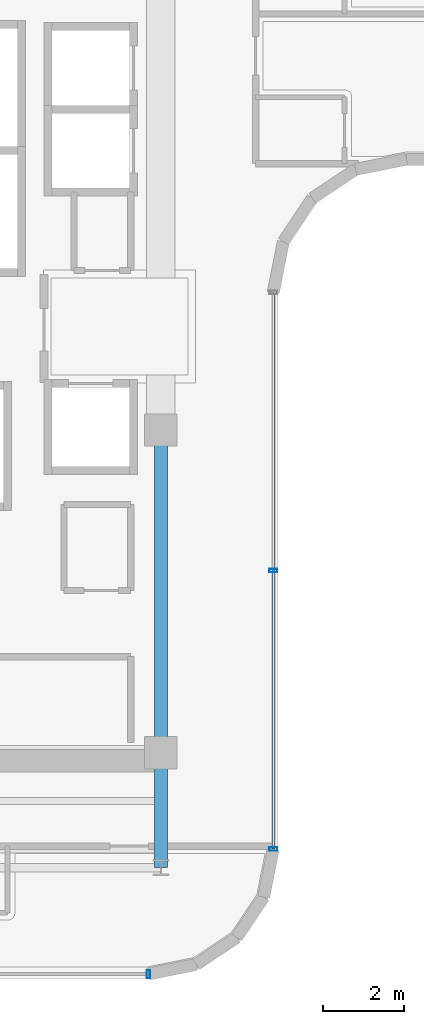
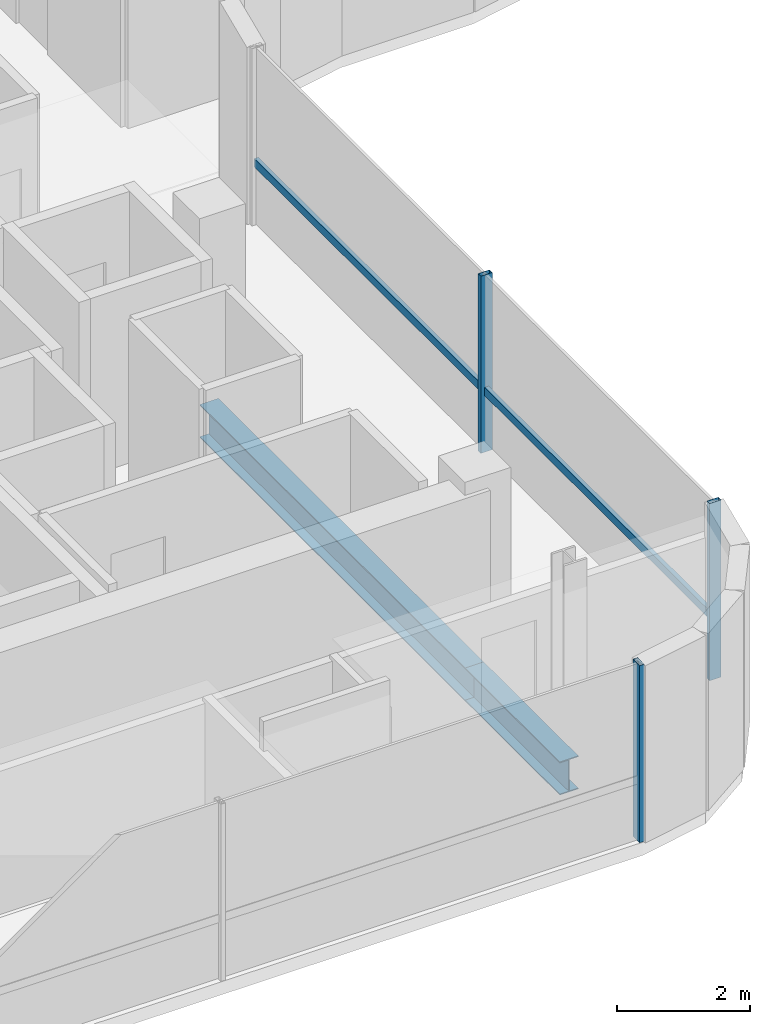
# One storey, part 5 of 20: 4 members, 2 beams, 2 elements without a shape of their own.
"""IFC4 building model written with IfcOpenShell, lengths in metres."""

import ifcopenshell
import ifcopenshell.guid

model = None  # the IFC model being written
_history = None  # IfcOwnerHistory: only IFC2X3 demands one
_inside = {}  # id of a spatial element -> (the spatial element, [elements in it])
_under = {}  # id of a project, library or spatial element -> (it, [spatial elements below it])
_declared = {}  # id of a project -> (the project, [libraries it declares])
_typed = {}  # id of a type object -> (the type object, [elements of that type])
_made_of = {}  # id of a material, layer set ... -> (it, [elements and type objects made of it])


def new_model(schema):
    """Start an empty IFC model of exactly this schema.

    Asked for "IFC4X3", IfcOpenShell would pick the latest addendum, in which some entities
    have other attributes; the version numbers below select the first issue.
    IFC2X3 requires an IfcOwnerHistory on every rooted entity: one is made here for all.
    """
    global model, _history
    if schema == "IFC4X3":
        model = ifcopenshell.file(schema_version=(4, 3, 0, 0))
    else:
        model = ifcopenshell.file(schema=schema)
    _inside.clear()
    _under.clear()
    _declared.clear()
    _typed.clear()
    _made_of.clear()
    _history = None
    if model.schema == "IFC2X3":
        org = make("IfcOrganization", Name="unknown")
        user = make(
            "IfcPersonAndOrganization",
            ThePerson=make("IfcPerson", FamilyName="unknown"),
            TheOrganization=org,
        )
        app = make(
            "IfcApplication",
            ApplicationDeveloper=org,
            Version="unknown",
            ApplicationFullName="unknown",
            ApplicationIdentifier="unknown",
        )
        _history = make(
            "IfcOwnerHistory",
            OwningUser=user,
            OwningApplication=app,
            ChangeAction="ADDED",
            CreationDate=0,
        )
    return model


def make(cls, **values):
    """One entity of the class cls with the attributes given. An attribute that is None is left unset."""
    return model.create_entity(
        cls, **{name: value for name, value in values.items() if value is not None}
    )


def rooted(cls, **values):
    """An entity with a GlobalId (a new one), such as an element, a storey or a relation."""
    return make(cls, GlobalId=ifcopenshell.guid.new(), OwnerHistory=_history, **values)


def si_unit(unit_type, name, prefix=None):
    """IfcSIUnit, for example si_unit("LENGTHUNIT", "METRE", prefix="MILLI")."""
    return make("IfcSIUnit", UnitType=unit_type, Prefix=prefix, Name=name)


def assignment(units):
    """IfcUnitAssignment: the units of a project."""
    return None if units is None else make("IfcUnitAssignment", Units=units)


def point(xyz):
    """IfcCartesianPoint."""
    return None if xyz is None else make("IfcCartesianPoint", Coordinates=xyz)


def direction(xyz):
    """IfcDirection."""
    return None if xyz is None else make("IfcDirection", DirectionRatios=xyz)


def frame(location, z_axis=None, x_axis=None):
    """IfcAxis2Placement3D, a coordinate frame: its origin and axes. An axis left out is left unset."""
    return make(
        "IfcAxis2Placement3D",
        Location=point(location),
        Axis=direction(z_axis),
        RefDirection=direction(x_axis),
    )


def frame_2d(location, x_axis=None):
    """IfcAxis2Placement2D, a coordinate frame in the plane: its origin and x axis."""
    return make(
        "IfcAxis2Placement2D", Location=point(location), RefDirection=direction(x_axis)
    )


def origin():
    """The frame at (0, 0, 0) with its axes left unset."""
    return frame((0.0, 0.0, 0.0))


def origin_2d():
    """The frame at (0, 0) in the plane with its x axis left unset."""
    return frame_2d((0.0, 0.0))


def place(relative_to, where):
    """IfcLocalPlacement: puts the frame where relative to a parent placement (None: the world)."""
    return make(
        "IfcLocalPlacement", PlacementRelTo=relative_to, RelativePlacement=where
    )


def context(
    kind, dimensions, precision=None, world=None, true_north=None, identifier=None
):
    """IfcGeometricRepresentationContext, for example the 3D "Model" context."""
    return make(
        "IfcGeometricRepresentationContext",
        ContextIdentifier=identifier,
        ContextType=kind,
        CoordinateSpaceDimension=dimensions,
        Precision=precision,
        WorldCoordinateSystem=world,
        TrueNorth=true_north,
    )


def subcontext(parent, identifier, kind, view, scale=None):
    """IfcGeometricRepresentationSubContext, for example "Body" below "Model"."""
    return make(
        "IfcGeometricRepresentationSubContext",
        ContextIdentifier=identifier,
        ContextType=kind,
        ParentContext=parent,
        TargetScale=scale,
        TargetView=view,
    )


def project(units=None, contexts=None):
    """IfcProject with its units and contexts."""
    return rooted(
        "IfcProject",
        Name="project",
        RepresentationContexts=contexts,
        UnitsInContext=assignment(units),
    )


def spatial(cls, under=None, at=None, **own):
    """A site, building, storey or space (cls), placed at a placement, below another one or the project."""
    s = rooted(cls, ObjectPlacement=at, **own)
    if under is not None:
        _under.setdefault(under.id(), (under, []))[1].append(s)
    return s


def profile(cls, at=None, kind="AREA", **sizes):
    """A parametric profile (cls). Its sizes go by their IFC names, for example OverallWidth=200.0."""
    return make(cls, ProfileType=kind, Position=at, **sizes)


def hollow_rectangle(**sizes):
    """IfcRectangleHollowProfileDef."""
    return profile("IfcRectangleHollowProfileDef", **sizes)


def i_section(**sizes):
    """IfcIShapeProfileDef."""
    return profile("IfcIShapeProfileDef", **sizes)


def extrude(swept, where, along, depth):
    """IfcExtrudedAreaSolid: the profile swept, set in the frame where, extruded along a direction by depth."""
    return make(
        "IfcExtrudedAreaSolid",
        SweptArea=swept,
        Position=where,
        ExtrudedDirection=direction(along),
        Depth=depth,
    )


def shape(context_of_items, identifier, shape_type, items):
    """IfcShapeRepresentation: the items that make up one representation, for example the "Body"."""
    return make(
        "IfcShapeRepresentation",
        ContextOfItems=context_of_items,
        RepresentationIdentifier=identifier,
        RepresentationType=shape_type,
        Items=items,
    )


def source(mapping_origin, context_of_items, identifier, shape_type, items):
    """IfcRepresentationMap: a shape defined once, which mapped items show again and again."""
    return make(
        "IfcRepresentationMap",
        MappingOrigin=mapping_origin,
        MappedRepresentation=shape(context_of_items, identifier, shape_type, items),
    )


def transform(
    local_origin,
    x_axis=None,
    y_axis=None,
    z_axis=None,
    scale=None,
    scale2=None,
    scale3=None,
    uniform=True,
):
    """IfcCartesianTransformationOperator3D, or its non-uniform kind. x_axis, y_axis, z_axis: its Axis1, 2, 3."""
    if uniform:
        return make(
            "IfcCartesianTransformationOperator3D",
            Axis1=direction(x_axis),
            Axis2=direction(y_axis),
            LocalOrigin=point(local_origin),
            Scale=scale,
            Axis3=direction(z_axis),
        )
    return make(
        "IfcCartesianTransformationOperator3DnonUniform",
        Axis1=direction(x_axis),
        Axis2=direction(y_axis),
        LocalOrigin=point(local_origin),
        Scale=scale,
        Axis3=direction(z_axis),
        Scale2=scale2,
        Scale3=scale3,
    )


def mapped(mapping_source, mapping_target):
    """IfcMappedItem: shows the shape of a source again, moved by a transform."""
    return make(
        "IfcMappedItem", MappingSource=mapping_source, MappingTarget=mapping_target
    )


def material(Name=None, Category=None):
    """IfcMaterial."""
    return make("IfcMaterial", Name=Name, Category=Category)


def material_profile(
    of_material, cross_section, Name=None, Category=None, Priority=None
):
    """IfcMaterialProfile: a cross section and its material."""
    return make(
        "IfcMaterialProfile",
        Name=Name,
        Material=of_material,
        Profile=cross_section,
        Priority=Priority,
        Category=Category,
    )


def profile_set(profiles, Name=None, composite=None):
    """IfcMaterialProfileSet."""
    return make(
        "IfcMaterialProfileSet",
        Name=Name,
        MaterialProfiles=profiles,
        CompositeProfile=composite,
    )


def made_of(thing, what):
    """Note that an element or type object is made of a material, layer set ...; save() writes the relation."""
    if what is not None:
        _made_of.setdefault(what.id(), (what, []))[1].append(thing)
    return thing


def type_object(cls, material=None, **own):
    """A type object (cls), such as IfcWallType, which elements share."""
    return made_of(rooted(cls, **own), material)


def element(
    cls,
    number,
    at=None,
    inside=None,
    cuts=None,
    type_object=None,
    material=None,
    context=None,
    identifier="Body",
    shape_type=None,
    held_by="IfcProductDefinitionShape",
    body=None,
    shapes=None,
    **own,
):
    """One element of the class cls, such as IfcWall. Its Tag is "e" and its number.

    at: its placement. inside: the storey or other place that contains it. cuts: it is an
    opening in that element (IfcRelVoidsElement). A single representation is given by context,
    identifier, shape_type and body (its items); several are given by shapes. held_by: the class
    of the entity that holds the representations. save() writes the other relations.
    """
    e = rooted(cls, Tag="e%d" % number, ObjectPlacement=at, **own)
    if body is not None:
        shapes = [shape(context, identifier, shape_type, body)]
    if shapes is not None:
        e.Representation = make(held_by, Representations=shapes)
    if inside is not None:
        _inside.setdefault(inside.id(), (inside, []))[1].append(e)
    if cuts is not None:
        rooted(
            "IfcRelVoidsElement", RelatingBuildingElement=cuts, RelatedOpeningElement=e
        )
    if type_object is not None:
        _typed.setdefault(type_object.id(), (type_object, []))[1].append(e)
    return made_of(e, material)


def aggregate(whole, parts):
    """IfcRelAggregates: a whole, such as a stair, and the parts it consists of."""
    return rooted("IfcRelAggregates", RelatingObject=whole, RelatedObjects=parts)


def save(model, path):
    """Write the relations noted so far, then the file.

    IfcRelAggregates (storeys below a building ...), IfcRelContainedInSpatialStructure (elements
    in a storey), IfcRelDefinesByType, IfcRelAssociatesMaterial and IfcRelDeclares: one each for
    every whole, place, type object, material and project.
    """
    for whole, parts in _under.values():
        aggregate(whole, parts)
    for where, things in _inside.values():
        rooted(
            "IfcRelContainedInSpatialStructure",
            RelatedElements=things,
            RelatingStructure=where,
        )
    for kind, things in _typed.values():
        rooted("IfcRelDefinesByType", RelatedObjects=things, RelatingType=kind)
    for what, things in _made_of.values():
        rooted("IfcRelAssociatesMaterial", RelatedObjects=things, RelatingMaterial=what)
    for by, libraries in _declared.values():
        rooted("IfcRelDeclares", RelatingContext=by, RelatedDefinitions=libraries)
    model.write(path)


model = new_model("IFC4")

# Units and contexts
model_context = context("Model", 3, precision=1e-05, world=origin(), true_north=direction((0.0, 1.0)))
body_context = subcontext(model_context, "Body", "Model", "MODEL_VIEW")
ifc_project = project(units=[si_unit("LENGTHUNIT", "METRE"), si_unit("AREAUNIT", "SQUARE_METRE"), si_unit("VOLUMEUNIT", "CUBIC_METRE"), si_unit("PLANEANGLEUNIT", "RADIAN"), si_unit("MASSUNIT", "GRAM", prefix="KILO")], contexts=[model_context])

# Site, building, storey
site_placement = place(None, origin())
site = spatial("IfcSite", under=ifc_project, at=site_placement, CompositionType="ELEMENT")
building_placement = place(site_placement, origin())
building = spatial("IfcBuilding", under=site, at=building_placement, Name="Valdorenza Pilgrim Sanctuary Tower", CompositionType="ELEMENT")
storey_placement = place(building_placement, frame((0.0, 0.0, 240.5)))
storey = spatial("IfcBuildingStorey", under=building, at=storey_placement, Name="L62", CompositionType="ELEMENT", Elevation=240.5)

# Beams
ifc_material_1 = material(Name="Steel ASTM A992 Grade 50", Category="steel")
ifc_material_profile_1 = material_profile(ifc_material_1, i_section(OverallWidth=0.323974609375, OverallDepth=0.611083984375, WebThickness=0.0126953125, FlangeThickness=0.01904296875, at=origin_2d()), Name="W24X104")
ifc_profile_set_1 = profile_set([ifc_material_profile_1], Name="Steel ASTM A992 Grade 50")
beam_type = type_object("IfcBeamType", Name="STR-BM-GRD-W24B", PredefinedType="BEAM", material=ifc_profile_set_1)
shared_shape_1 = source(origin(), body_context, "Body", "SweptSolid", [
    extrude(i_section(OverallWidth=0.323974609375, OverallDepth=0.611083984375, WebThickness=0.0126953125, FlangeThickness=0.01904296875, at=origin_2d()), origin(), (0.0, 0.0, 1.0), 8.0),
])
beam_1_placement = place(storey_placement, frame((-12.39990234375, -10.60009765625, -0.54541015625), z_axis=(0.0, 1.0, 0.0), x_axis=(-1.0, 0.0, 0.0)))
element("IfcBeam", 1, at=beam_1_placement, inside=storey, type_object=beam_type, Name="L62 Core Tie Girder CA-E-S1M0", PredefinedType="BEAM", context=body_context, shape_type="MappedRepresentation", body=[
    mapped(shared_shape_1, transform((0.0, 0.0, 0.0), x_axis=(1.0, 0.0, 0.0), y_axis=(0.0, 1.0, 0.0), z_axis=(0.0, 0.0, 1.0), scale=1.0)),
])
shared_shape_2 = source(origin(), body_context, "Body", "SweptSolid", [
    extrude(i_section(OverallWidth=0.323974609375, OverallDepth=0.611083984375, WebThickness=0.0126953125, FlangeThickness=0.01904296875, at=origin_2d()), origin(), (0.0, 0.0, 1.0), 2.849853515625),
])
beam_2_placement = place(storey_placement, frame((-12.39990234375, -13.449951171875, -0.54541015625), z_axis=(0.0, 1.0, 0.0), x_axis=(-1.0, 0.0, 0.0)))
element("IfcBeam", 2, at=beam_2_placement, inside=storey, type_object=beam_type, Name="L62 Floor Girder WA-S-LE", PredefinedType="BEAM", context=body_context, shape_type="MappedRepresentation", body=[
    mapped(shared_shape_2, transform((0.0, 0.0, 0.0), x_axis=(1.0, 0.0, 0.0), y_axis=(0.0, 1.0, 0.0), z_axis=(0.0, 0.0, 1.0), scale=1.0)),
])

# Curtain wall, members
ifc_material_2 = material(Name="Curtain-wall IGU glazing", Category="glass")
curtain_wall_type = type_object("IfcCurtainWallType", Name="CW-SYS-02", PredefinedType="NOTDEFINED", material=ifc_material_2)
curtain_wall_1_placement = place(storey_placement, origin())
curtain_wall_1 = element("IfcCurtainWall", 3, at=curtain_wall_1_placement, inside=storey, type_object=curtain_wall_type, Name="L62 Curtain Wall CW-L62-1-21", PredefinedType="NOTDEFINED")
ifc_material_3 = material(Name="Anodised aluminium AW-6060", Category="aluminium")
ifc_material_profile_2 = material_profile(ifc_material_3, hollow_rectangle(XDim=0.0849609375, YDim=0.199951171875, WallThickness=0.0048828125, at=origin_2d()), Name="ALU-M 200x85x5")
ifc_profile_set_2 = profile_set([ifc_material_profile_2], Name="Anodised aluminium AW-6060")
member_type_1 = type_object("IfcMemberType", Name="CW-MUL-02", PredefinedType="MULLION", material=ifc_profile_set_2)
shared_shape_3 = source(origin(), body_context, "Body", "SweptSolid", [
    extrude(hollow_rectangle(XDim=0.0849609375, YDim=0.199951171875, WallThickness=0.0048828125, at=origin_2d()), origin(), (0.0, 0.0, 1.0), 3.260009765625),
])
member_1_placement = place(storey_placement, frame((-9.610107421875, -6.089111328125, 0.0), z_axis=(0.0, 0.0, 1.0), x_axis=(0.0, -1.0, 0.0)))
member_1 = element("IfcMember", 4, at=member_1_placement, type_object=member_type_1, Name="CW-L62-1-21 Mullion 2", PredefinedType="MULLION", context=body_context, shape_type="MappedRepresentation", body=[
    mapped(shared_shape_3, transform((0.0, 0.0, 0.0), x_axis=(1.0, 0.0, 0.0), y_axis=(0.0, 1.0, 0.0), z_axis=(0.0, 0.0, 1.0), scale=1.0)),
])
member_2_placement = place(storey_placement, frame((-9.610107421875, -12.9892578125, 0.0), z_axis=(0.0, 0.0, 1.0), x_axis=(0.0, -1.0, 0.0)))
member_2 = element("IfcMember", 5, at=member_2_placement, type_object=member_type_1, Name="CW-L62-1-21 Mullion 3", PredefinedType="MULLION", context=body_context, shape_type="MappedRepresentation", body=[
    mapped(shared_shape_3, transform((0.0, 0.0, 0.0), x_axis=(1.0, 0.0, 0.0), y_axis=(0.0, 1.0, 0.0), z_axis=(0.0, 0.0, 1.0), scale=1.0)),
])

# Curtain wall, member
curtain_wall_2_placement = place(storey_placement, origin())
curtain_wall_2 = element("IfcCurtainWall", 6, at=curtain_wall_2_placement, inside=storey, type_object=curtain_wall_type, Name="L62 Curtain Wall CW-L62-1-26", PredefinedType="NOTDEFINED")
member_3_placement = place(storey_placement, frame((-12.710693359375, -16.090087890625, 0.0), z_axis=(0.0, 0.0, 1.0), x_axis=(-1.0, 0.0, 0.0)))
member_3 = element("IfcMember", 7, at=member_3_placement, type_object=member_type_1, Name="CW-L62-1-26 Mullion 1", PredefinedType="MULLION", context=body_context, shape_type="MappedRepresentation", body=[
    mapped(shared_shape_3, transform((0.0, 0.0, 0.0), x_axis=(1.0, 0.0, 0.0), y_axis=(0.0, 1.0, 0.0), z_axis=(0.0, 0.0, 1.0), scale=1.0)),
])
aggregate(curtain_wall_2, [member_3])

# Member
ifc_material_profile_3 = material_profile(ifc_material_3, hollow_rectangle(XDim=0.074951171875, YDim=0.14990234375, WallThickness=0.00390625, at=origin_2d()), Name="ALU-T 150x75x4")
ifc_profile_set_3 = profile_set([ifc_material_profile_3], Name="Anodised aluminium AW-6060")
member_type_2 = type_object("IfcMemberType", Name="CW-TRN-02", PredefinedType="USERDEFINED", material=ifc_profile_set_3)
shared_shape_4 = source(origin(), body_context, "Body", "SweptSolid", [
    extrude(hollow_rectangle(XDim=0.074951171875, YDim=0.14990234375, WallThickness=0.00390625, at=origin_2d()), origin(), (0.0, 0.0, 1.0), 13.800048828125),
])
member_4_placement = place(storey_placement, frame((-9.610107421875, 0.810791015625, 1.1201171875), z_axis=(0.0, -1.0, 0.0), x_axis=(1.0, 0.0, 0.0)))
member_4 = element("IfcMember", 8, at=member_4_placement, type_object=member_type_2, Name="CW-L62-1-21 Transom 1", ObjectType="TRANSOM", PredefinedType="USERDEFINED", context=body_context, shape_type="MappedRepresentation", body=[
    mapped(shared_shape_4, transform((0.0, 0.0, 0.0), x_axis=(1.0, 0.0, 0.0), y_axis=(0.0, 1.0, 0.0), z_axis=(0.0, 0.0, 1.0), scale=1.0)),
])

aggregate(curtain_wall_1, [member_1, member_2, member_4])

save(model, "model.ifc")
